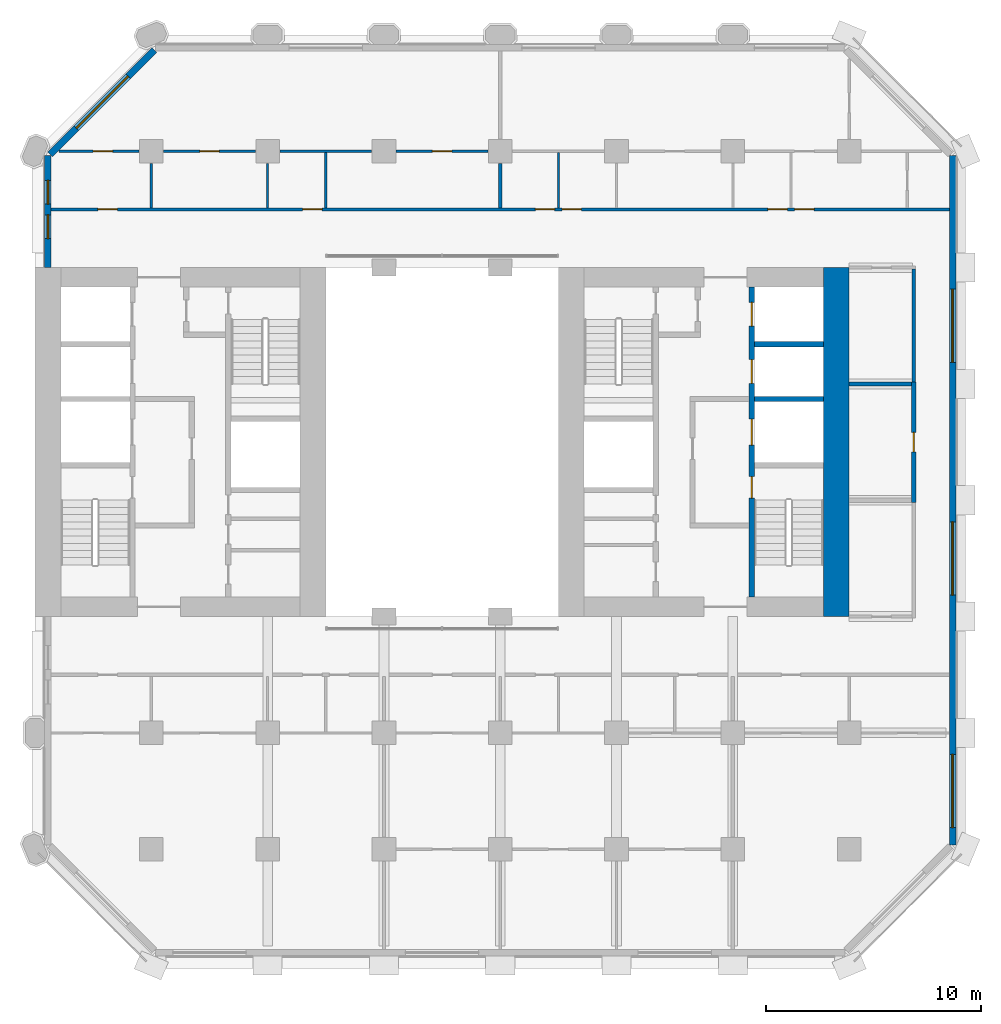
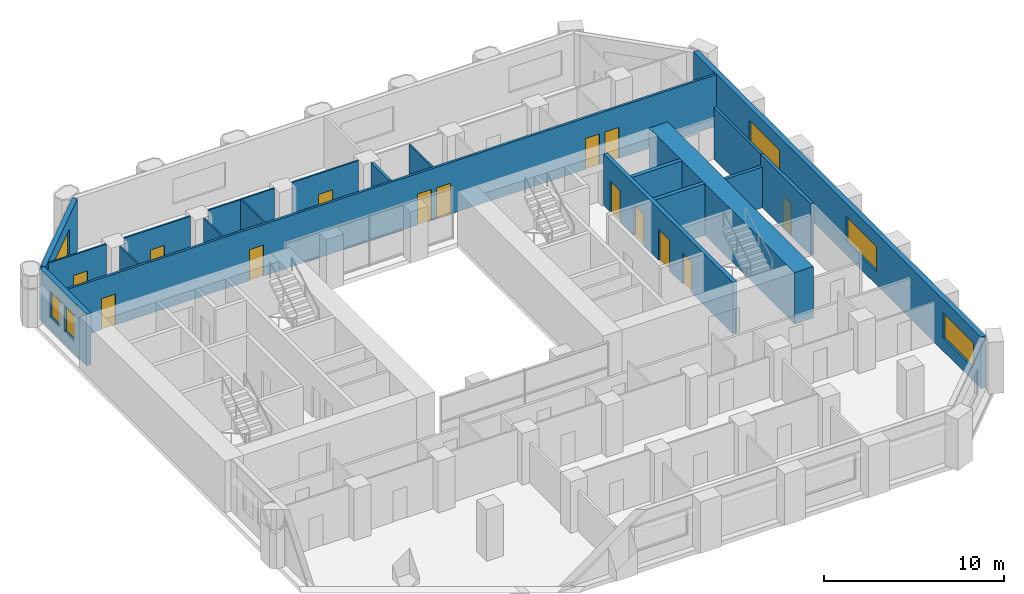
# One storey, part 10 of 13: 20 walls, 14 doors, 6 windows, 20 openings.
"""IFC4 building model written with IfcOpenShell, lengths in metres."""

from ifc_helpers import new_model, si_unit, direction, frame, frame_2d, origin, place, context, subcontext, project, spatial, rectangle, extrude, material, layer, layer_set, type_object, element, fill, save


model = new_model("IFC4")

# Units and contexts
model_context = context("Model", 3, precision=1e-05, world=origin(), true_north=direction((0.0, 1.0)))
body_context = subcontext(model_context, "Body", "Model", "MODEL_VIEW")
ifc_project = project(units=[si_unit("LENGTHUNIT", "METRE"), si_unit("AREAUNIT", "SQUARE_METRE"), si_unit("VOLUMEUNIT", "CUBIC_METRE"), si_unit("PLANEANGLEUNIT", "RADIAN"), si_unit("MASSUNIT", "GRAM", prefix="KILO")], contexts=[model_context])

# Site, building, storey
site_placement = place(None, origin())
site = spatial("IfcSite", under=ifc_project, at=site_placement, CompositionType="ELEMENT")
building_placement = place(site_placement, origin())
building = spatial("IfcBuilding", under=site, at=building_placement, Name="Tabaq Tower and Sports Hall", CompositionType="ELEMENT")
storey_placement = place(building_placement, frame((0.0, 0.0, 41.199951171875)))
storey = spatial("IfcBuildingStorey", under=building, at=storey_placement, Name="L08", CompositionType="ELEMENT", Elevation=41.199951171875)

# Wall
ifc_material_1 = material(Name="Concrete C60/75", Category="concrete")
ifc_layer_1 = layer(ifc_material_1, 1.199951171875)
ifc_layer_set_1 = layer_set([ifc_layer_1], Name="Core wall 1200 Concrete C60/75")
wall_type_1 = type_object("IfcWallType", Name="Core wall 1200 Concrete C60/75", PredefinedType="SOLIDWALL", material=ifc_layer_set_1)
wall_1_placement = place(storey_placement, frame((42.60009765625, 32.39990234375, 0.0), z_axis=(0.0, 0.0, 1.0), x_axis=(0.0, -1.0, 0.0)))
element("IfcWall", 1, at=wall_1_placement, inside=storey, type_object=wall_type_1, Name="Core wall E L08", PredefinedType="SOLIDWALL", context=body_context, shape_type="SweptSolid", body=[
    extrude(rectangle(XDim=16.199951171875, YDim=1.199951171875, at=frame_2d((8.10009765625, 0.0))), origin(), (0.0, 0.0, 1.0), 3.5),
])

# Wall, opening, door
ifc_material_2 = material(Name="Blockwork", Category="masonry")
ifc_layer_2 = layer(ifc_material_2, 0.199951171875)
ifc_layer_set_2 = layer_set([ifc_layer_2], Name="Fire compartment wall 200 Blockwork")
wall_type_2 = type_object("IfcWallType", Name="Fire compartment wall 200 Blockwork", PredefinedType="PARTITIONING", material=ifc_layer_set_2)
wall_2_placement = place(storey_placement, frame((46.199951171875, 27.10009765625, 0.0), z_axis=(0.0, 0.0, 1.0), x_axis=(0.0, -1.0, 0.0)))
wall_2 = element("IfcWall", 2, at=wall_2_placement, inside=storey, type_object=wall_type_2, Name="Compartment wall L08", PredefinedType="PARTITIONING", context=body_context, shape_type="SweptSolid", body=[
    extrude(rectangle(XDim=5.60009765625, YDim=0.199951171875, at=frame_2d((2.800048828125, 0.0))), origin(), (0.0, 0.0, 1.0), 3.5),
])
opening_1_placement = place(wall_2_placement, frame((2.35009765625, 0.0, 0.0)))
opening_1 = element("IfcOpeningElement", 3, at=opening_1_placement, cuts=wall_2, Name="Opening L08-010", PredefinedType="OPENING", context=body_context, shape_type="SweptSolid", body=[
    extrude(rectangle(XDim=0.89990234375, YDim=2.10009765625, at=frame_2d((0.449951171875, 1.050048828125))), frame((0.0, 0.10009765625, 0.0), z_axis=(0.0, -1.0, 0.0), x_axis=(1.0, 0.0, 0.0)), (0.0, 0.0, 1.0), 0.199951171875),
])
ifc_material_3 = material(Name="Steel fire door", Category="steel")
door_type_1 = type_object("IfcDoorType", Name="Plant room door 900 right hand", OperationType="SINGLE_SWING_RIGHT", PredefinedType="DOOR", material=ifc_material_3)
door_1_placement = place(opening_1_placement, origin())
door_1 = element("IfcDoor", 4, at=door_1_placement, inside=storey, type_object=door_type_1, Name="Plant room door L08-010", OperationType="SINGLE_SWING_RIGHT", OverallHeight=2.10009765625, OverallWidth=0.89990234375, PredefinedType="DOOR", context=body_context, shape_type="SweptSolid", body=[
    extrude(rectangle(XDim=0.89990234375, YDim=2.10009765625, at=frame_2d((0.449951171875, 1.050048828125))), frame((0.0, 0.02490234375, 0.0), z_axis=(0.0, -1.0, 0.0), x_axis=(1.0, 0.0, 0.0)), (0.0, 0.0, 1.0), 0.050048828125),
])
fill(opening_1, door_1)

# Wall
wall_3_placement = place(storey_placement, frame((46.10009765625, 27.0, 0.0), z_axis=(0.0, 0.0, 1.0), x_axis=(-1.0, 0.0, 0.0)))
element("IfcWall", 5, at=wall_3_placement, inside=storey, type_object=wall_type_2, Name="Compartment wall L08", PredefinedType="PARTITIONING", context=body_context, shape_type="SweptSolid", body=[
    extrude(rectangle(XDim=2.900146484375, YDim=0.199951171875, at=frame_2d((1.4501953125, 0.0))), origin(), (0.0, 0.0, 1.0), 2.75),
])

# Wall, opening, door
ifc_material_4 = material(Name="Gypsum board on steel studs", Category="steel")
ifc_layer_3 = layer(ifc_material_4, 0.10009765625)
ifc_layer_set_3 = layer_set([ifc_layer_3], Name="Partition 100 Gypsum board")
wall_type_3 = type_object("IfcWallType", Name="Partition 100 Gypsum board", PredefinedType="PARTITIONING", material=ifc_layer_set_3)
wall_4_placement = place(storey_placement, frame((10.22998046875, 37.800048828125, 0.0), z_axis=(0.0, 0.0, 1.0), x_axis=(-1.0, 0.0, 0.0)))
wall_4 = element("IfcWall", 6, at=wall_4_placement, inside=storey, type_object=wall_type_3, Name="Partition wall L08", PredefinedType="PARTITIONING", context=body_context, shape_type="SweptSolid", body=[
    extrude(rectangle(XDim=3.7177734375, YDim=0.10009765625, at=frame_2d((1.85888671875, 0.0))), origin(), (0.0, 0.0, 1.0), 3.5),
])
opening_2_placement = place(wall_4_placement, frame((1.22998046875, 0.0, 0.0)))
opening_2 = element("IfcOpeningElement", 7, at=opening_2_placement, cuts=wall_4, Name="Opening L08-027", PredefinedType="OPENING", context=body_context, shape_type="SweptSolid", body=[
    extrude(rectangle(XDim=0.89990234375, YDim=2.10009765625, at=frame_2d((0.449951171875, 1.050048828125))), frame((0.0, 0.050048828125, 0.0), z_axis=(0.0, -1.0, 0.0), x_axis=(1.0, 0.0, 0.0)), (0.0, 0.0, 1.0), 0.10009765625),
])
ifc_material_5 = material(Name="Timber leaf in steel frame", Category="steel")
door_type_2 = type_object("IfcDoorType", Name="Internal door 900 right hand", OperationType="SINGLE_SWING_RIGHT", PredefinedType="DOOR", material=ifc_material_5)
door_2_placement = place(opening_2_placement, origin())
door_2 = element("IfcDoor", 8, at=door_2_placement, inside=storey, type_object=door_type_2, Name="Internal door L08-027", OperationType="SINGLE_SWING_RIGHT", OverallHeight=2.10009765625, OverallWidth=0.89990234375, PredefinedType="DOOR", context=body_context, shape_type="SweptSolid", body=[
    extrude(rectangle(XDim=0.89990234375, YDim=2.10009765625, at=frame_2d((0.449951171875, 1.050048828125))), frame((0.0, 0.02490234375, 0.0), z_axis=(0.0, -1.0, 0.0), x_axis=(1.0, 0.0, 0.0)), (0.0, 0.0, 1.0), 0.050048828125),
])
fill(opening_2, door_2)

# Walls
for number, where, z_axis, x_axis, name in (
    (9, (10.800048828125, 35.175048828125, 0.0), (0.0, 0.0, 1.0), (0.0, 1.0, 0.0), "Partition wall L08"),
    (10, (16.199951171875, 35.175048828125, 0.0), (0.0, 0.0, 1.0), (0.0, 1.0, 0.0), "Partition wall L08"),
):
    element("IfcWall", number, at=place(storey_placement, frame(where, z_axis=z_axis, x_axis=x_axis)), inside=storey, type_object=wall_type_3, Name=name, PredefinedType="PARTITIONING", context=body_context, shape_type="SweptSolid", body=[
        extrude(rectangle(XDim=2.054931640625, YDim=0.10009765625, at=frame_2d((1.02734375, 0.0))), origin(), (0.0, 0.0, 1.0), 3.5),
    ])

# Wall, opening, door
wall_5_placement = place(storey_placement, frame((15.6298828125, 37.800048828125, 0.0), z_axis=(0.0, 0.0, 1.0), x_axis=(-1.0, 0.0, 0.0)))
wall_5 = element("IfcWall", 11, at=wall_5_placement, inside=storey, type_object=wall_type_3, Name="Partition wall L08", PredefinedType="PARTITIONING", context=body_context, shape_type="SweptSolid", body=[
    extrude(rectangle(XDim=4.259765625, YDim=0.10009765625, at=frame_2d((2.1298828125, 0.0))), origin(), (0.0, 0.0, 1.0), 3.5),
])
opening_3_placement = place(wall_5_placement, frame((1.679931640625, 0.0, 0.0)))
opening_3 = element("IfcOpeningElement", 12, at=opening_3_placement, cuts=wall_5, Name="Opening L08-012", PredefinedType="OPENING", context=body_context, shape_type="SweptSolid", body=[
    extrude(rectangle(XDim=0.89990234375, YDim=2.10009765625, at=frame_2d((0.449951171875, 1.050048828125))), frame((0.0, 0.050048828125, 0.0), z_axis=(0.0, -1.0, 0.0), x_axis=(1.0, 0.0, 0.0)), (0.0, 0.0, 1.0), 0.10009765625),
])
ifc_material_6 = material(Name="Timber leaf in steel frame", Category="steel")
door_type_3 = type_object("IfcDoorType", Name="Internal door 900 left hand", OperationType="SINGLE_SWING_LEFT", PredefinedType="DOOR", material=ifc_material_6)
door_3_placement = place(opening_3_placement, origin())
door_3 = element("IfcDoor", 13, at=door_3_placement, inside=storey, type_object=door_type_3, Name="Internal door L08-012", OperationType="SINGLE_SWING_LEFT", OverallHeight=2.10009765625, OverallWidth=0.89990234375, PredefinedType="DOOR", context=body_context, shape_type="SweptSolid", body=[
    extrude(rectangle(XDim=0.89990234375, YDim=2.10009765625, at=frame_2d((0.449951171875, 1.050048828125))), frame((0.0, 0.02490234375, 0.0), z_axis=(0.0, -1.0, 0.0), x_axis=(1.0, 0.0, 0.0)), (0.0, 0.0, 1.0), 0.050048828125),
])
fill(opening_3, door_3)

# Wall
wall_6_placement = place(storey_placement, frame((18.89990234375, 35.175048828125, 0.0), z_axis=(0.0, 0.0, 1.0), x_axis=(0.0, 1.0, 0.0)))
element("IfcWall", 14, at=wall_6_placement, inside=storey, type_object=wall_type_3, Name="Partition wall L08", PredefinedType="PARTITIONING", context=body_context, shape_type="SweptSolid", body=[
    extrude(rectangle(XDim=2.574951171875, YDim=0.10009765625, at=frame_2d((1.28759765625, 0.0))), origin(), (0.0, 0.0, 1.0), 3.5),
])

# Wall, opening, door
wall_7_placement = place(storey_placement, frame((26.429931640625, 37.800048828125, 0.0), z_axis=(0.0, 0.0, 1.0), x_axis=(-1.0, 0.0, 0.0)))
wall_7 = element("IfcWall", 15, at=wall_7_placement, inside=storey, type_object=wall_type_3, Name="Partition wall L08", PredefinedType="PARTITIONING", context=body_context, shape_type="SweptSolid", body=[
    extrude(rectangle(XDim=4.260009765625, YDim=0.10009765625, at=frame_2d((2.1298828125, 0.0))), origin(), (0.0, 0.0, 1.0), 3.5),
])
opening_4_placement = place(wall_7_placement, frame((1.679931640625, 0.0, 0.0)))
opening_4 = element("IfcOpeningElement", 16, at=opening_4_placement, cuts=wall_7, Name="Opening L08-013", PredefinedType="OPENING", context=body_context, shape_type="SweptSolid", body=[
    extrude(rectangle(XDim=0.89990234375, YDim=2.10009765625, at=frame_2d((0.449951171875, 1.050048828125))), frame((0.0, 0.050048828125, 0.0), z_axis=(0.0, -1.0, 0.0), x_axis=(1.0, 0.0, 0.0)), (0.0, 0.0, 1.0), 0.10009765625),
])
door_4_placement = place(opening_4_placement, origin())
door_4 = element("IfcDoor", 17, at=door_4_placement, inside=storey, type_object=door_type_2, Name="Internal door L08-013", OperationType="SINGLE_SWING_RIGHT", OverallHeight=2.10009765625, OverallWidth=0.89990234375, PredefinedType="DOOR", context=body_context, shape_type="SweptSolid", body=[
    extrude(rectangle(XDim=0.89990234375, YDim=2.10009765625, at=frame_2d((0.449951171875, 1.050048828125))), frame((0.0, 0.02490234375, 0.0), z_axis=(0.0, -1.0, 0.0), x_axis=(1.0, 0.0, 0.0)), (0.0, 0.0, 1.0), 0.050048828125),
])
fill(opening_4, door_4)

# Walls
wall_8_placement = place(storey_placement, frame((21.030029296875, 37.800048828125, 0.0), z_axis=(0.0, 0.0, 1.0), x_axis=(-1.0, 0.0, 0.0)))
element("IfcWall", 18, at=wall_8_placement, inside=storey, type_object=wall_type_3, Name="Partition wall L08", PredefinedType="PARTITIONING", context=body_context, shape_type="SweptSolid", body=[
    extrude(rectangle(XDim=4.260009765625, YDim=0.10009765625, at=frame_2d((2.1298828125, 0.0))), origin(), (0.0, 0.0, 1.0), 3.5),
])
wall_9_placement = place(storey_placement, frame((29.699951171875, 35.175048828125, 0.0), z_axis=(0.0, 0.0, 1.0), x_axis=(0.0, 1.0, 0.0)))
element("IfcWall", 19, at=wall_9_placement, inside=storey, type_object=wall_type_3, Name="Partition wall L08", PredefinedType="PARTITIONING", context=body_context, shape_type="SweptSolid", body=[
    extrude(rectangle(XDim=2.574951171875, YDim=0.10009765625, at=frame_2d((1.28759765625, 0.0))), origin(), (0.0, 0.0, 1.0), 3.5),
])

# Wall, openings, doors
ifc_material_7 = material(Name="Blockwork", Category="masonry")
ifc_layer_4 = layer(ifc_material_7, 0.14990234375)
ifc_layer_set_4 = layer_set([ifc_layer_4], Name="Separating wall 150 Blockwork")
wall_type_4 = type_object("IfcWallType", Name="Separating wall 150 Blockwork", PredefinedType="PARTITIONING", material=ifc_layer_set_4)
wall_10_placement = place(storey_placement, frame((47.84912109375, 35.10009765625, 0.0), z_axis=(0.0, 0.0, 1.0), x_axis=(-1.0, 0.0, 0.0)))
wall_10 = element("IfcWall", 20, at=wall_10_placement, inside=storey, type_object=wall_type_4, Name="Separating wall L08", PredefinedType="PARTITIONING", context=body_context, shape_type="SweptSolid", body=[
    extrude(rectangle(XDim=41.6982421875, YDim=0.14990234375, at=frame_2d((20.84912109375, 0.0))), origin(), (0.0, 0.0, 1.0), 3.5),
])
opening_5_placement = place(wall_10_placement, frame((29.118896484375, 0.0, 0.0)))
opening_5 = element("IfcOpeningElement", 21, at=opening_5_placement, cuts=wall_10, Name="Opening L08-001", PredefinedType="OPENING", context=body_context, shape_type="SweptSolid", body=[
    extrude(rectangle(XDim=0.89990234375, YDim=2.10009765625, at=frame_2d((0.449951171875, 1.050048828125))), frame((0.0, 0.074951171875, 0.0), z_axis=(0.0, -1.0, 0.0), x_axis=(1.0, 0.0, 0.0)), (0.0, 0.0, 1.0), 0.14990234375),
])
opening_6_placement = place(wall_10_placement, frame((18.319091796875, 0.0, 0.0)))
opening_6 = element("IfcOpeningElement", 22, at=opening_6_placement, cuts=wall_10, Name="Opening L08-002", PredefinedType="OPENING", context=body_context, shape_type="SweptSolid", body=[
    extrude(rectangle(XDim=0.89990234375, YDim=2.10009765625, at=frame_2d((0.449951171875, 1.050048828125))), frame((0.0, 0.074951171875, 0.0), z_axis=(0.0, -1.0, 0.0), x_axis=(1.0, 0.0, 0.0)), (0.0, 0.0, 1.0), 0.14990234375),
])
opening_7_placement = place(wall_10_placement, frame((17.0791015625, 0.0, 0.0)))
opening_7 = element("IfcOpeningElement", 23, at=opening_7_placement, cuts=wall_10, Name="Opening L08-003", PredefinedType="OPENING", context=body_context, shape_type="SweptSolid", body=[
    extrude(rectangle(XDim=0.89990234375, YDim=2.10009765625, at=frame_2d((0.449951171875, 1.050048828125))), frame((0.0, 0.074951171875, 0.0), z_axis=(0.0, -1.0, 0.0), x_axis=(1.0, 0.0, 0.0)), (0.0, 0.0, 1.0), 0.14990234375),
])
opening_8_placement = place(wall_10_placement, frame((7.51904296875, 0.0, 0.0)))
opening_8 = element("IfcOpeningElement", 24, at=opening_8_placement, cuts=wall_10, Name="Opening L08-004", PredefinedType="OPENING", context=body_context, shape_type="SweptSolid", body=[
    extrude(rectangle(XDim=0.89990234375, YDim=2.10009765625, at=frame_2d((0.449951171875, 1.050048828125))), frame((0.0, 0.074951171875, 0.0), z_axis=(0.0, -1.0, 0.0), x_axis=(1.0, 0.0, 0.0)), (0.0, 0.0, 1.0), 0.14990234375),
])
opening_9_placement = place(wall_10_placement, frame((38.6240234375, 0.0, 0.0)))
opening_9 = element("IfcOpeningElement", 25, at=opening_9_placement, cuts=wall_10, Name="Opening L08-023", PredefinedType="OPENING", context=body_context, shape_type="SweptSolid", body=[
    extrude(rectangle(XDim=0.89990234375, YDim=2.10009765625, at=frame_2d((0.449951171875, 1.050048828125))), frame((0.0, 0.074951171875, 0.0), z_axis=(0.0, -1.0, 0.0), x_axis=(1.0, 0.0, 0.0)), (0.0, 0.0, 1.0), 0.14990234375),
])
opening_10_placement = place(wall_10_placement, frame((6.279052734375, 0.0, 0.0)))
opening_10 = element("IfcOpeningElement", 26, at=opening_10_placement, cuts=wall_10, Name="Opening L08-031", PredefinedType="OPENING", context=body_context, shape_type="SweptSolid", body=[
    extrude(rectangle(XDim=0.89990234375, YDim=2.10009765625, at=frame_2d((0.449951171875, 1.050048828125))), frame((0.0, 0.074951171875, 0.0), z_axis=(0.0, -1.0, 0.0), x_axis=(1.0, 0.0, 0.0)), (0.0, 0.0, 1.0), 0.14990234375),
])
ifc_material_8 = material(Name="Steel fire door", Category="steel")
door_type_4 = type_object("IfcDoorType", Name="Entrance door 900 left hand", OperationType="SINGLE_SWING_LEFT", PredefinedType="DOOR", material=ifc_material_8)
door_5_placement = place(opening_5_placement, origin())
door_5 = element("IfcDoor", 27, at=door_5_placement, inside=storey, type_object=door_type_4, Name="Entrance door L08-001", OperationType="SINGLE_SWING_LEFT", OverallHeight=2.10009765625, OverallWidth=0.89990234375, PredefinedType="DOOR", context=body_context, shape_type="SweptSolid", body=[
    extrude(rectangle(XDim=0.89990234375, YDim=2.10009765625, at=frame_2d((0.449951171875, 1.050048828125))), frame((0.0, 0.02490234375, 0.0), z_axis=(0.0, -1.0, 0.0), x_axis=(1.0, 0.0, 0.0)), (0.0, 0.0, 1.0), 0.050048828125),
])
fill(opening_5, door_5)
door_6_placement = place(opening_6_placement, origin())
door_6 = element("IfcDoor", 28, at=door_6_placement, inside=storey, type_object=door_type_4, Name="Entrance door L08-002", OperationType="SINGLE_SWING_LEFT", OverallHeight=2.10009765625, OverallWidth=0.89990234375, PredefinedType="DOOR", context=body_context, shape_type="SweptSolid", body=[
    extrude(rectangle(XDim=0.89990234375, YDim=2.10009765625, at=frame_2d((0.449951171875, 1.050048828125))), frame((0.0, 0.02490234375, 0.0), z_axis=(0.0, -1.0, 0.0), x_axis=(1.0, 0.0, 0.0)), (0.0, 0.0, 1.0), 0.050048828125),
])
fill(opening_6, door_6)
door_7_placement = place(opening_7_placement, origin())
door_7 = element("IfcDoor", 29, at=door_7_placement, inside=storey, type_object=door_type_4, Name="Entrance door L08-003", OperationType="SINGLE_SWING_LEFT", OverallHeight=2.10009765625, OverallWidth=0.89990234375, PredefinedType="DOOR", context=body_context, shape_type="SweptSolid", body=[
    extrude(rectangle(XDim=0.89990234375, YDim=2.10009765625, at=frame_2d((0.449951171875, 1.050048828125))), frame((0.0, 0.02490234375, 0.0), z_axis=(0.0, -1.0, 0.0), x_axis=(1.0, 0.0, 0.0)), (0.0, 0.0, 1.0), 0.050048828125),
])
fill(opening_7, door_7)
door_8_placement = place(opening_8_placement, origin())
door_8 = element("IfcDoor", 30, at=door_8_placement, inside=storey, type_object=door_type_4, Name="Entrance door L08-004", OperationType="SINGLE_SWING_LEFT", OverallHeight=2.10009765625, OverallWidth=0.89990234375, PredefinedType="DOOR", context=body_context, shape_type="SweptSolid", body=[
    extrude(rectangle(XDim=0.89990234375, YDim=2.10009765625, at=frame_2d((0.449951171875, 1.050048828125))), frame((0.0, 0.02490234375, 0.0), z_axis=(0.0, -1.0, 0.0), x_axis=(1.0, 0.0, 0.0)), (0.0, 0.0, 1.0), 0.050048828125),
])
fill(opening_8, door_8)
door_9_placement = place(opening_9_placement, origin())
door_9 = element("IfcDoor", 31, at=door_9_placement, inside=storey, type_object=door_type_4, Name="Entrance door L08-023", OperationType="SINGLE_SWING_LEFT", OverallHeight=2.10009765625, OverallWidth=0.89990234375, PredefinedType="DOOR", context=body_context, shape_type="SweptSolid", body=[
    extrude(rectangle(XDim=0.89990234375, YDim=2.10009765625, at=frame_2d((0.449951171875, 1.050048828125))), frame((0.0, 0.02490234375, 0.0), z_axis=(0.0, -1.0, 0.0), x_axis=(1.0, 0.0, 0.0)), (0.0, 0.0, 1.0), 0.050048828125),
])
fill(opening_9, door_9)
ifc_material_9 = material(Name="Steel fire door", Category="steel")
door_type_5 = type_object("IfcDoorType", Name="Entrance door 900 right hand", OperationType="SINGLE_SWING_RIGHT", PredefinedType="DOOR", material=ifc_material_9)
door_10_placement = place(opening_10_placement, origin())
door_10 = element("IfcDoor", 32, at=door_10_placement, inside=storey, type_object=door_type_5, Name="Entrance door L08-031", OperationType="SINGLE_SWING_RIGHT", OverallHeight=2.10009765625, OverallWidth=0.89990234375, PredefinedType="DOOR", context=body_context, shape_type="SweptSolid", body=[
    extrude(rectangle(XDim=0.89990234375, YDim=2.10009765625, at=frame_2d((0.449951171875, 1.050048828125))), frame((0.0, 0.02490234375, 0.0), z_axis=(0.0, -1.0, 0.0), x_axis=(1.0, 0.0, 0.0)), (0.0, 0.0, 1.0), 0.050048828125),
])
fill(opening_10, door_10)

# Walls
wall_11_placement = place(storey_placement, frame((46.199951171875, 32.324951171875, 0.0), z_axis=(0.0, 0.0, 1.0), x_axis=(0.0, -1.0, 0.0)))
element("IfcWall", 33, at=wall_11_placement, inside=storey, type_object=wall_type_4, Name="Separating wall L08", PredefinedType="PARTITIONING", context=body_context, shape_type="SweptSolid", body=[
    extrude(rectangle(XDim=5.224853515625, YDim=0.14990234375, at=frame_2d((2.6123046875, 0.0))), origin(), (0.0, 0.0, 1.0), 3.5),
])
wall_12_placement = place(storey_placement, frame((27.0, 35.175048828125, 0.0), z_axis=(0.0, 0.0, 1.0), x_axis=(0.0, 1.0, 0.0)))
element("IfcWall", 34, at=wall_12_placement, inside=storey, type_object=wall_type_4, Name="Separating wall L08", PredefinedType="PARTITIONING", context=body_context, shape_type="SweptSolid", body=[
    extrude(rectangle(XDim=2.054931640625, YDim=0.14990234375, at=frame_2d((1.02734375, 0.0))), origin(), (0.0, 0.0, 1.0), 3.5),
])

# Wall, openings, doors
ifc_material_10 = material(Name="Concrete C40/50", Category="concrete")
ifc_layer_5 = layer(ifc_material_10, 0.25)
ifc_layer_set_5 = layer_set([ifc_layer_5], Name="Shaft and stair wall 250 Concrete C40/50")
wall_type_5 = type_object("IfcWallType", Name="Shaft and stair wall 250 Concrete C40/50", PredefinedType="SOLIDWALL", material=ifc_layer_set_5)
wall_13_placement = place(storey_placement, frame((38.675048828125, 17.10009765625, 0.0), z_axis=(0.0, 0.0, 1.0), x_axis=(0.0, 1.0, 0.0)))
wall_13 = element("IfcWall", 35, at=wall_13_placement, inside=storey, type_object=wall_type_5, Name="Shaft wall E L08", PredefinedType="SOLIDWALL", context=body_context, shape_type="SweptSolid", body=[
    extrude(rectangle(XDim=14.39990234375, YDim=0.25, at=frame_2d((7.199951171875, 0.0))), origin(), (0.0, 0.0, 1.0), 3.5),
])
opening_11_placement = place(wall_13_placement, frame((4.60009765625, 0.0, 0.0)))
opening_11 = element("IfcOpeningElement", 36, at=opening_11_placement, cuts=wall_13, Name="Opening SD-EL08-03", PredefinedType="OPENING", context=body_context, shape_type="SweptSolid", body=[
    extrude(rectangle(XDim=1.0, YDim=2.10009765625, at=frame_2d((0.5, 1.050048828125))), frame((0.0, 0.125, 0.0), z_axis=(0.0, -1.0, 0.0), x_axis=(1.0, 0.0, 0.0)), (0.0, 0.0, 1.0), 0.25),
])
opening_12_placement = place(wall_13_placement, frame((7.0625, 0.0, 0.0)))
opening_12 = element("IfcOpeningElement", 37, at=opening_12_placement, cuts=wall_13, Name="Opening LD-FF2-L08", PredefinedType="OPENING", context=body_context, shape_type="SweptSolid", body=[
    extrude(rectangle(XDim=1.199951171875, YDim=2.10009765625, at=frame_2d((0.60009765625, 1.050048828125))), frame((0.0, 0.125, 0.0), z_axis=(0.0, -1.0, 0.0), x_axis=(1.0, 0.0, 0.0)), (0.0, 0.0, 1.0), 0.25),
])
opening_13_placement = place(wall_13_placement, frame((9.925048828125, 0.0, 0.0)))
opening_13 = element("IfcOpeningElement", 38, at=opening_13_placement, cuts=wall_13, Name="Opening LD-LR3-L08", PredefinedType="OPENING", context=body_context, shape_type="SweptSolid", body=[
    extrude(rectangle(XDim=1.10009765625, YDim=2.10009765625, at=frame_2d((0.550048828125, 1.050048828125))), frame((0.0, 0.125, 0.0), z_axis=(0.0, -1.0, 0.0), x_axis=(1.0, 0.0, 0.0)), (0.0, 0.0, 1.0), 0.25),
])
opening_14_placement = place(wall_13_placement, frame((12.58740234375, 0.0, 0.0)))
opening_14 = element("IfcOpeningElement", 39, at=opening_14_placement, cuts=wall_13, Name="Opening LD-LR4-L08", PredefinedType="OPENING", context=body_context, shape_type="SweptSolid", body=[
    extrude(rectangle(XDim=1.10009765625, YDim=2.10009765625, at=frame_2d((0.550048828125, 1.050048828125))), frame((0.0, 0.125, 0.0), z_axis=(0.0, -1.0, 0.0), x_axis=(1.0, 0.0, 0.0)), (0.0, 0.0, 1.0), 0.25),
])
ifc_material_11 = material(Name="Stainless steel", Category="steel")
door_type_6 = type_object("IfcDoorType", Name="Lift landing door 1100", OperationType="DOUBLE_DOOR_SLIDING", PredefinedType="DOOR", material=ifc_material_11)
door_11_placement = place(opening_13_placement, origin())
door_11 = element("IfcDoor", 40, at=door_11_placement, inside=storey, type_object=door_type_6, Name="Lift landing door LR3 E L08", OperationType="DOUBLE_DOOR_SLIDING", OverallHeight=2.10009765625, OverallWidth=1.10009765625, PredefinedType="DOOR", context=body_context, shape_type="SweptSolid", body=[
    extrude(rectangle(XDim=1.10009765625, YDim=2.10009765625, at=frame_2d((0.550048828125, 1.050048828125))), frame((0.0, 0.02490234375, 0.0), z_axis=(0.0, -1.0, 0.0), x_axis=(1.0, 0.0, 0.0)), (0.0, 0.0, 1.0), 0.050048828125),
])
fill(opening_13, door_11)
door_12_placement = place(opening_14_placement, origin())
door_12 = element("IfcDoor", 41, at=door_12_placement, inside=storey, type_object=door_type_6, Name="Lift landing door LR4 E L08", OperationType="DOUBLE_DOOR_SLIDING", OverallHeight=2.10009765625, OverallWidth=1.10009765625, PredefinedType="DOOR", context=body_context, shape_type="SweptSolid", body=[
    extrude(rectangle(XDim=1.10009765625, YDim=2.10009765625, at=frame_2d((0.550048828125, 1.050048828125))), frame((0.0, 0.02490234375, 0.0), z_axis=(0.0, -1.0, 0.0), x_axis=(1.0, 0.0, 0.0)), (0.0, 0.0, 1.0), 0.050048828125),
])
fill(opening_14, door_12)
ifc_material_12 = material(Name="Stainless steel", Category="steel")
door_type_7 = type_object("IfcDoorType", Name="Lift landing door 1200", OperationType="DOUBLE_DOOR_SLIDING", PredefinedType="DOOR", material=ifc_material_12)
door_13_placement = place(opening_12_placement, origin())
door_13 = element("IfcDoor", 42, at=door_13_placement, inside=storey, type_object=door_type_7, Name="Lift landing door FF2 E L08", OperationType="DOUBLE_DOOR_SLIDING", OverallHeight=2.10009765625, OverallWidth=1.199951171875, PredefinedType="DOOR", context=body_context, shape_type="SweptSolid", body=[
    extrude(rectangle(XDim=1.199951171875, YDim=2.10009765625, at=frame_2d((0.60009765625, 1.050048828125))), frame((0.0, 0.02490234375, 0.0), z_axis=(0.0, -1.0, 0.0), x_axis=(1.0, 0.0, 0.0)), (0.0, 0.0, 1.0), 0.050048828125),
])
fill(opening_12, door_13)
ifc_material_13 = material(Name="Steel fire door", Category="steel")
door_type_8 = type_object("IfcDoorType", Name="Stair door 1000", OperationType="SINGLE_SWING_LEFT", PredefinedType="DOOR", material=ifc_material_13)
door_14_placement = place(opening_11_placement, origin())
door_14 = element("IfcDoor", 43, at=door_14_placement, inside=storey, type_object=door_type_8, Name="Stair door ST3 E L08", OperationType="SINGLE_SWING_LEFT", OverallHeight=2.10009765625, OverallWidth=1.0, PredefinedType="DOOR", context=body_context, shape_type="SweptSolid", body=[
    extrude(rectangle(XDim=1.0, YDim=2.10009765625, at=frame_2d((0.5, 1.050048828125))), frame((0.0, 0.02490234375, 0.0), z_axis=(0.0, -1.0, 0.0), x_axis=(1.0, 0.0, 0.0)), (0.0, 0.0, 1.0), 0.050048828125),
])
fill(opening_11, door_14)

# Walls
for number, where, z_axis, x_axis, name in (
    (44, (38.800048828125, 26.300048828125, 0.0), (0.0, 0.0, 1.0), (1.0, 0.0, 0.0), "Shaft wall E L08"),
    (45, (38.800048828125, 28.85009765625, 0.0), (0.0, 0.0, 1.0), (1.0, 0.0, 0.0), "Shaft wall E L08"),
):
    element("IfcWall", number, at=place(storey_placement, frame(where, z_axis=z_axis, x_axis=x_axis)), inside=storey, type_object=wall_type_5, Name=name, PredefinedType="SOLIDWALL", context=body_context, shape_type="SweptSolid", body=[
        extrude(rectangle(XDim=3.199951171875, YDim=0.25, at=frame_2d((1.60009765625, 0.0))), origin(), (0.0, 0.0, 1.0), 3.5),
    ])

# Wall, openings, windows
ifc_material_14 = material(Name="White precast concrete C60/75", Category="concrete")
ifc_layer_6 = layer(ifc_material_14, 0.300048828125)
ifc_layer_set_6 = layer_set([ifc_layer_6], Name="White precast concrete C60/75 external wall 300")
wall_type_6 = type_object("IfcWallType", Name="White precast concrete C60/75 external wall 300", PredefinedType="SOLIDWALL", material=ifc_layer_set_6)
wall_14_placement = place(storey_placement, frame((48.0, 5.58642578125, 0.0), z_axis=(0.0, 0.0, 1.0), x_axis=(0.0, 1.0, 0.0)))
wall_14 = element("IfcWall", 46, at=wall_14_placement, inside=storey, type_object=wall_type_6, Name="External Wall L08 E", PredefinedType="SOLIDWALL", context=body_context, shape_type="SweptSolid", body=[
    extrude(rectangle(XDim=32.027099609375, YDim=0.300048828125, at=frame_2d((16.013671875, 0.0))), origin(), (0.0, 0.0, 1.0), 3.5),
])
opening_15_placement = place(wall_14_placement, frame((0.813720703125, 0.0, 0.89990234375)))
opening_15 = element("IfcOpeningElement", 47, at=opening_15_placement, cuts=wall_14, Name="Opening W1A", PredefinedType="OPENING", context=body_context, shape_type="SweptSolid", body=[
    extrude(rectangle(XDim=3.39990234375, YDim=1.699951171875, at=frame_2d((1.699951171875, 0.85009765625))), frame((0.0, 0.16015625, 0.0), z_axis=(0.0, -1.0, 0.0), x_axis=(1.0, 0.0, 0.0)), (0.0, 0.0, 1.0), 0.320068359375),
])
opening_16_placement = place(wall_14_placement, frame((11.613525390625, 0.0, 0.89990234375)))
opening_16 = element("IfcOpeningElement", 48, at=opening_16_placement, cuts=wall_14, Name="Opening W1A", PredefinedType="OPENING", context=body_context, shape_type="SweptSolid", body=[
    extrude(rectangle(XDim=3.39990234375, YDim=1.699951171875, at=frame_2d((1.699951171875, 0.85009765625))), frame((0.0, 0.16015625, 0.0), z_axis=(0.0, -1.0, 0.0), x_axis=(1.0, 0.0, 0.0)), (0.0, 0.0, 1.0), 0.320068359375),
])
opening_17_placement = place(wall_14_placement, frame((22.41357421875, 0.0, 0.89990234375)))
opening_17 = element("IfcOpeningElement", 49, at=opening_17_placement, cuts=wall_14, Name="Opening W1A", PredefinedType="OPENING", context=body_context, shape_type="SweptSolid", body=[
    extrude(rectangle(XDim=3.39990234375, YDim=1.699951171875, at=frame_2d((1.699951171875, 0.85009765625))), frame((0.0, 0.16015625, 0.0), z_axis=(0.0, -1.0, 0.0), x_axis=(1.0, 0.0, 0.0)), (0.0, 0.0, 1.0), 0.320068359375),
])
ifc_material_15 = material(Name="Aluminium framed clear glazing", Category="aluminium")
window_type_1 = type_object("IfcWindowType", Name="Window W1A", PartitioningType="SINGLE_PANEL", PredefinedType="WINDOW", material=ifc_material_15)
window_1_placement = place(opening_15_placement, origin())
window_1 = element("IfcWindow", 50, at=window_1_placement, inside=storey, type_object=window_type_1, Name="Window W1A L08", OverallHeight=1.699951171875, OverallWidth=3.39990234375, PartitioningType="SINGLE_PANEL", PredefinedType="WINDOW", context=body_context, shape_type="SweptSolid", body=[
    extrude(rectangle(XDim=3.39990234375, YDim=1.699951171875, at=frame_2d((1.699951171875, 0.85009765625))), frame((0.0, 0.030029296875, 0.0), z_axis=(0.0, -1.0, 0.0), x_axis=(1.0, 0.0, 0.0)), (0.0, 0.0, 1.0), 0.06005859375),
])
fill(opening_15, window_1)
window_2_placement = place(opening_16_placement, origin())
window_2 = element("IfcWindow", 51, at=window_2_placement, inside=storey, type_object=window_type_1, Name="Window W1A L08", OverallHeight=1.699951171875, OverallWidth=3.39990234375, PartitioningType="SINGLE_PANEL", PredefinedType="WINDOW", context=body_context, shape_type="SweptSolid", body=[
    extrude(rectangle(XDim=3.39990234375, YDim=1.699951171875, at=frame_2d((1.699951171875, 0.85009765625))), frame((0.0, 0.030029296875, 0.0), z_axis=(0.0, -1.0, 0.0), x_axis=(1.0, 0.0, 0.0)), (0.0, 0.0, 1.0), 0.06005859375),
])
fill(opening_16, window_2)
window_3_placement = place(opening_17_placement, origin())
window_3 = element("IfcWindow", 52, at=window_3_placement, inside=storey, type_object=window_type_1, Name="Window W1A L08", OverallHeight=1.699951171875, OverallWidth=3.39990234375, PartitioningType="SINGLE_PANEL", PredefinedType="WINDOW", context=body_context, shape_type="SweptSolid", body=[
    extrude(rectangle(XDim=3.39990234375, YDim=1.699951171875, at=frame_2d((1.699951171875, 0.85009765625))), frame((0.0, 0.030029296875, 0.0), z_axis=(0.0, -1.0, 0.0), x_axis=(1.0, 0.0, 0.0)), (0.0, 0.0, 1.0), 0.06005859375),
])
fill(opening_17, window_3)

# Wall, opening, window
wall_15_placement = place(storey_placement, frame((10.949462890625, 42.5009765625, 0.0), z_axis=(0.0, 0.0, 1.0), x_axis=(-0.707106781187, -0.707106781187, 0.0)))
wall_15 = element("IfcWall", 53, at=wall_15_placement, inside=storey, type_object=wall_type_6, Name="External Wall L08 NW", PredefinedType="SOLIDWALL", context=body_context, shape_type="SweptSolid", body=[
    extrude(rectangle(XDim=6.85986328125, YDim=0.300048828125, at=frame_2d((3.429931640625, 0.0))), origin(), (0.0, 0.0, 1.0), 3.5),
])
opening_18_placement = place(wall_15_placement, frame((1.729736328125, 0.0, 0.89990234375)))
opening_18 = element("IfcOpeningElement", 54, at=opening_18_placement, cuts=wall_15, Name="Opening W1A", PredefinedType="OPENING", context=body_context, shape_type="SweptSolid", body=[
    extrude(rectangle(XDim=3.39990234375, YDim=1.699951171875, at=frame_2d((1.699951171875, 0.85009765625))), frame((0.0, 0.16015625, 0.0), z_axis=(0.0, -1.0, 0.0), x_axis=(1.0, 0.0, 0.0)), (0.0, 0.0, 1.0), 0.320068359375),
])
window_4_placement = place(opening_18_placement, origin())
window_4 = element("IfcWindow", 55, at=window_4_placement, inside=storey, type_object=window_type_1, Name="Window W1A L08", OverallHeight=1.699951171875, OverallWidth=3.39990234375, PartitioningType="SINGLE_PANEL", PredefinedType="WINDOW", context=body_context, shape_type="SweptSolid", body=[
    extrude(rectangle(XDim=3.39990234375, YDim=1.699951171875, at=frame_2d((1.699951171875, 0.85009765625))), frame((0.0, 0.030029296875, 0.0), z_axis=(0.0, -1.0, 0.0), x_axis=(1.0, 0.0, 0.0)), (0.0, 0.0, 1.0), 0.06005859375),
])
fill(opening_18, window_4)

# Wall, openings, windows
wall_16_placement = place(storey_placement, frame((6.0, 37.613525390625, 0.0), z_axis=(0.0, 0.0, 1.0), x_axis=(0.0, -1.0, 0.0)))
wall_16 = element("IfcWall", 56, at=wall_16_placement, inside=storey, type_object=wall_type_6, Name="External Wall L08 W", PredefinedType="SOLIDWALL", context=body_context, shape_type="SweptSolid", body=[
    extrude(rectangle(XDim=5.213623046875, YDim=0.300048828125, at=frame_2d((2.60693359375, 0.0))), origin(), (0.0, 0.0, 1.0), 3.5),
])
opening_19_placement = place(wall_16_placement, frame((1.16357421875, 0.0, 0.89990234375)))
opening_19 = element("IfcOpeningElement", 57, at=opening_19_placement, cuts=wall_16, Name="Opening W1B", PredefinedType="OPENING", context=body_context, shape_type="SweptSolid", body=[
    extrude(rectangle(XDim=1.10009765625, YDim=1.699951171875, at=frame_2d((0.550048828125, 0.85009765625))), frame((0.0, 0.16015625, 0.0), z_axis=(0.0, -1.0, 0.0), x_axis=(1.0, 0.0, 0.0)), (0.0, 0.0, 1.0), 0.320068359375),
])
opening_20_placement = place(wall_16_placement, frame((2.763671875, 0.0, 0.89990234375)))
opening_20 = element("IfcOpeningElement", 58, at=opening_20_placement, cuts=wall_16, Name="Opening W1B", PredefinedType="OPENING", context=body_context, shape_type="SweptSolid", body=[
    extrude(rectangle(XDim=1.10009765625, YDim=1.699951171875, at=frame_2d((0.550048828125, 0.85009765625))), frame((0.0, 0.16015625, 0.0), z_axis=(0.0, -1.0, 0.0), x_axis=(1.0, 0.0, 0.0)), (0.0, 0.0, 1.0), 0.320068359375),
])
ifc_material_16 = material(Name="Aluminium framed clear glazing", Category="aluminium")
window_type_2 = type_object("IfcWindowType", Name="Window W1B", PartitioningType="SINGLE_PANEL", PredefinedType="WINDOW", material=ifc_material_16)
window_5_placement = place(opening_19_placement, origin())
window_5 = element("IfcWindow", 59, at=window_5_placement, inside=storey, type_object=window_type_2, Name="Window W1B L08", OverallHeight=1.699951171875, OverallWidth=1.10009765625, PartitioningType="SINGLE_PANEL", PredefinedType="WINDOW", context=body_context, shape_type="SweptSolid", body=[
    extrude(rectangle(XDim=1.10009765625, YDim=1.699951171875, at=frame_2d((0.550048828125, 0.85009765625))), frame((0.0, 0.030029296875, 0.0), z_axis=(0.0, -1.0, 0.0), x_axis=(1.0, 0.0, 0.0)), (0.0, 0.0, 1.0), 0.06005859375),
])
fill(opening_19, window_5)
window_6_placement = place(opening_20_placement, origin())
window_6 = element("IfcWindow", 60, at=window_6_placement, inside=storey, type_object=window_type_2, Name="Window W1B L08", OverallHeight=1.699951171875, OverallWidth=1.10009765625, PartitioningType="SINGLE_PANEL", PredefinedType="WINDOW", context=body_context, shape_type="SweptSolid", body=[
    extrude(rectangle(XDim=1.10009765625, YDim=1.699951171875, at=frame_2d((0.550048828125, 0.85009765625))), frame((0.0, 0.030029296875, 0.0), z_axis=(0.0, -1.0, 0.0), x_axis=(1.0, 0.0, 0.0)), (0.0, 0.0, 1.0), 0.06005859375),
])
fill(opening_20, window_6)

save(model, "model.ifc")
